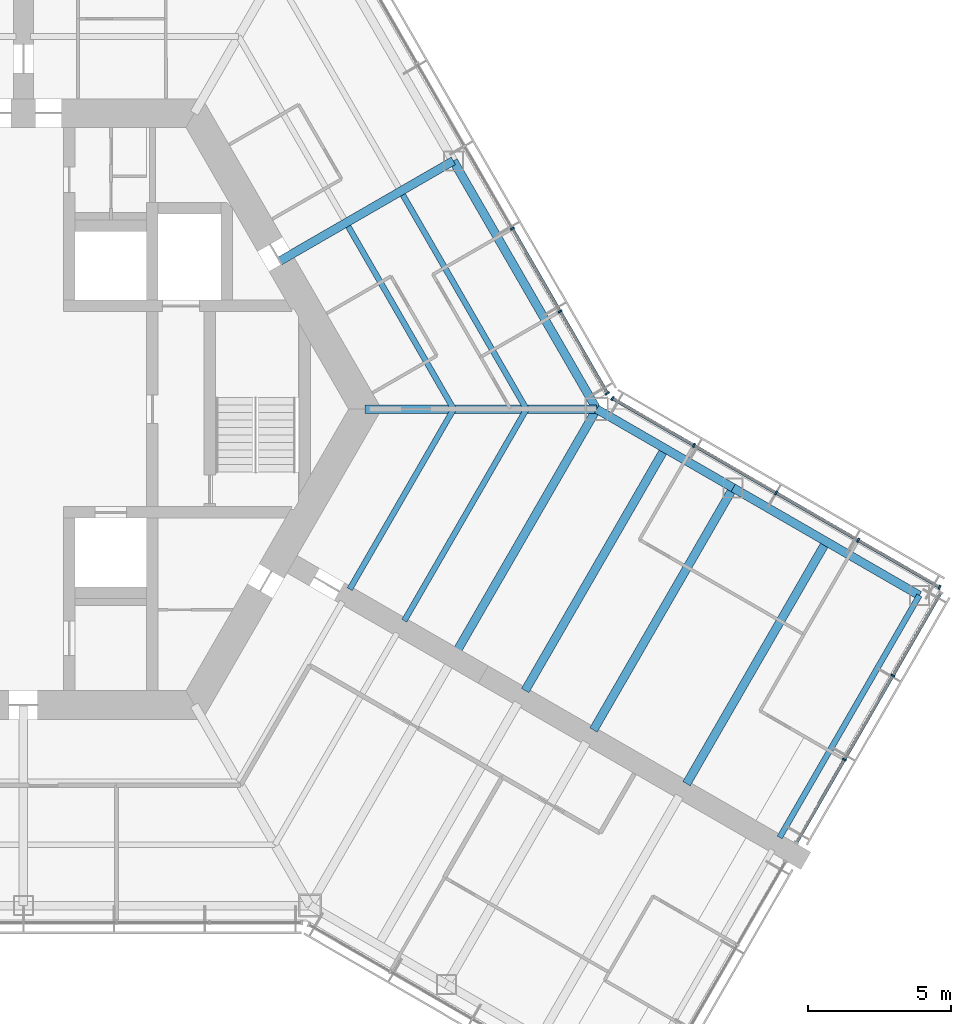
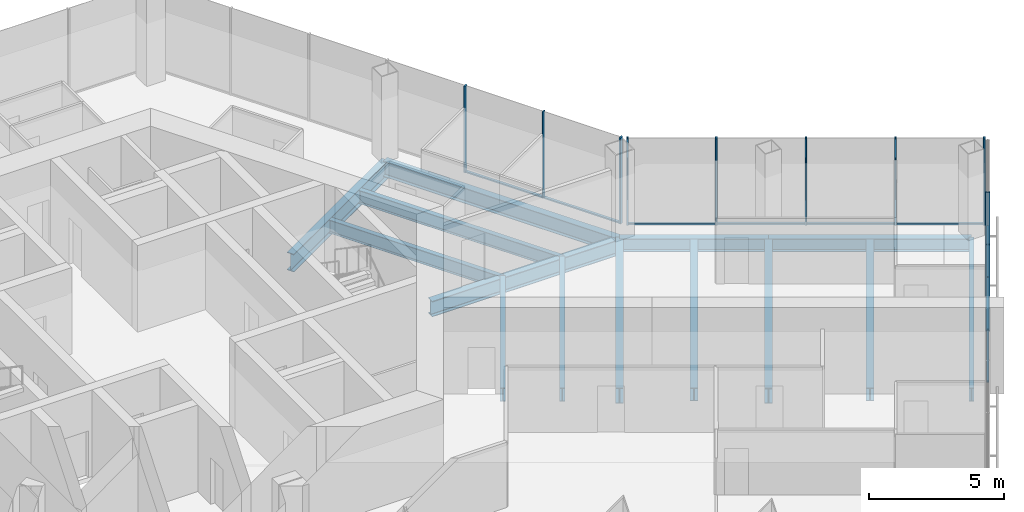
# One storey, part 6 of 18: 19 members, 14 beams, 3 elements without a shape of their own.
"""IFC4 building model written with IfcOpenShell, lengths in metres."""

from ifc_helpers import new_model, si_unit, direction, frame, origin, origin_2d, place, context, subcontext, project, spatial, rectangle, i_section, extrude, material, material_profile, profile_set, type_object, element, aggregate, save


model = new_model("IFC4")

# Units and contexts
model_context = context("Model", 3, precision=1e-05, world=origin(), true_north=direction((0.0, 1.0)))
body_context = subcontext(model_context, "Body", "Model", "MODEL_VIEW")
ifc_project = project(units=[si_unit("LENGTHUNIT", "METRE"), si_unit("AREAUNIT", "SQUARE_METRE"), si_unit("VOLUMEUNIT", "CUBIC_METRE"), si_unit("PLANEANGLEUNIT", "RADIAN"), si_unit("MASSUNIT", "GRAM", prefix="KILO")], contexts=[model_context])

# Site, building, storey
site_placement = place(None, origin())
site = spatial("IfcSite", under=ifc_project, at=site_placement, CompositionType="ELEMENT")
building_placement = place(site_placement, origin())
building = spatial("IfcBuilding", under=site, at=building_placement, Name="Kasaneha Research Tower", CompositionType="ELEMENT")
storey_placement = place(building_placement, frame((0.0, 0.0, 168.199951171875)))
storey = spatial("IfcBuildingStorey", under=building, at=storey_placement, Name="L42", CompositionType="ELEMENT", Elevation=168.199951171875)

# Beams
ifc_material_1 = material(Name="Steel SN490B", Category="steel")
ifc_material_profile_1 = material_profile(ifc_material_1, i_section(OverallWidth=0.199951171875, OverallDepth=0.60009765625, WebThickness=0.010986328125, FlangeThickness=0.01708984375, FilletRadius=0.012939453125, at=origin_2d()), Name="H-600x200x11x17")
ifc_profile_set_1 = profile_set([ifc_material_profile_1], Name="Steel SN490B")
beam_type_1 = type_object("IfcBeamType", Name="B1-3 secondary beam H-600x200x11x17", PredefinedType="JOIST", material=ifc_profile_set_1)
beam_1_placement = place(storey_placement, frame((15.010986328125, 0.0, -0.449951171875), z_axis=(-0.499994443168, 0.866028611999, 0.0), x_axis=(-0.866028611999, -0.499994443168, 0.0)))
element("IfcBeam", 1, at=beam_1_placement, inside=storey, type_object=beam_type_1, Name="Secondary beam RS030L1 L42", PredefinedType="JOIST", context=body_context, shape_type="SweptSolid", body=[
    extrude(i_section(OverallWidth=0.199951171875, OverallDepth=0.60009765625, WebThickness=0.010986328125, FlangeThickness=0.01708984375, FilletRadius=0.012939453125, at=origin_2d()), origin(), (0.0, 0.0, 1.0), 7.35546875),
])
beam_2_placement = place(storey_placement, frame((17.551513671875, 0.0, -0.449951171875), z_axis=(-0.5000050195, 0.866022505755, 0.0), x_axis=(-0.866022505755, -0.5000050195, 0.0)))
element("IfcBeam", 2, at=beam_2_placement, inside=storey, type_object=beam_type_1, Name="Secondary beam RS030L2 L42", PredefinedType="JOIST", context=body_context, shape_type="SweptSolid", body=[
    extrude(i_section(OverallWidth=0.199951171875, OverallDepth=0.60009765625, WebThickness=0.010986328125, FlangeThickness=0.01708984375, FilletRadius=0.012939453125, at=origin_2d()), origin(), (0.0, 0.0, 1.0), 8.6259765625),
])
beam_3_placement = place(storey_placement, frame((15.010986328125, 0.0, -0.449951171875), z_axis=(-0.499993340521, -0.866029248602, 0.0), x_axis=(0.866029248602, -0.499993340521, 0.0)))
element("IfcBeam", 3, at=beam_3_placement, inside=storey, type_object=beam_type_1, Name="Secondary beam RS330R1 L42", PredefinedType="JOIST", context=body_context, shape_type="SweptSolid", body=[
    extrude(i_section(OverallWidth=0.199951171875, OverallDepth=0.60009765625, WebThickness=0.010986328125, FlangeThickness=0.01708984375, FilletRadius=0.012939453125, at=origin_2d()), origin(), (0.0, 0.0, 1.0), 7.25537109375),
])
beam_4_placement = place(storey_placement, frame((17.551513671875, 0.0, -0.449951171875), z_axis=(-0.500004205306, -0.866022975836, 0.0), x_axis=(0.866022975836, -0.500004205306, 0.0)))
element("IfcBeam", 4, at=beam_4_placement, inside=storey, type_object=beam_type_1, Name="Secondary beam RS330R2 L42", PredefinedType="JOIST", context=body_context, shape_type="SweptSolid", body=[
    extrude(i_section(OverallWidth=0.199951171875, OverallDepth=0.60009765625, WebThickness=0.010986328125, FlangeThickness=0.01708984375, FilletRadius=0.012939453125, at=origin_2d()), origin(), (0.0, 0.0, 1.0), 8.52587890625),
])
ifc_material_2 = material(Name="Steel SN490B", Category="steel")
ifc_material_profile_2 = material_profile(ifc_material_2, i_section(OverallWidth=0.300048828125, OverallDepth=0.58203125, WebThickness=0.011962890625, FlangeThickness=0.01708984375, FilletRadius=0.012939453125, at=origin_2d()), Name="H-582x300x12x17")
ifc_profile_set_2 = profile_set([ifc_material_profile_2], Name="Steel SN490B")
beam_type_2 = type_object("IfcBeamType", Name="B2-3 secondary beam H-582x300x12x17", PredefinedType="JOIST", material=ifc_profile_set_2)
for number, where, z_axis, x_axis, name in (
    (5, (22.381591796875, -1.375, -0.44091796875), (-0.499995560238, -0.866027967067, 0.0), (0.866027967067, -0.499995560238, 0.0), "Secondary beam WBCN1 L42"),
    (6, (28.0107421875, -4.625, -0.44091796875), (-0.499995560238, -0.866027967067, 0.0), (0.866027967067, -0.499995560238, 0.0), "Secondary beam WBCN2 L42"),
):
    element("IfcBeam", number, at=place(storey_placement, frame(where, z_axis=z_axis, x_axis=x_axis)), inside=storey, type_object=beam_type_2, Name=name, PredefinedType="JOIST", context=body_context, shape_type="SweptSolid", body=[
        extrude(i_section(OverallWidth=0.300048828125, OverallDepth=0.58203125, WebThickness=0.011962890625, FlangeThickness=0.01708984375, FilletRadius=0.012939453125, at=origin_2d()), origin(), (0.0, 0.0, 1.0), 9.75),
    ])

# Curtain wall, members
ifc_material_3 = material(Name="Glass and aluminium", Category="aluminium")
curtain_wall_type = type_object("IfcCurtainWallType", Name="Mid-rise office curtain wall", PredefinedType="USERDEFINED", material=ifc_material_3)
curtain_wall_1_placement = place(storey_placement, origin())
curtain_wall_1 = element("IfcCurtainWall", 7, at=curtain_wall_1_placement, inside=storey, type_object=curtain_wall_type, Name="CW-O2 L42 run 04a", ObjectType="UNITISED CURTAIN WALL", PredefinedType="USERDEFINED")
ifc_material_4 = material(Name="Aluminium 6063-T6", Category="aluminium")
ifc_material_profile_3 = material_profile(ifc_material_4, rectangle(XDim=0.06005859375, YDim=0.14990234375, at=origin_2d()), Name="CW-O2 mullion 60x150")
ifc_profile_set_3 = profile_set([ifc_material_profile_3], Name="Aluminium 6063-T6")
member_type_1 = type_object("IfcMemberType", Name="CW-O2 mullion", PredefinedType="MULLION", material=ifc_profile_set_3)
member_1_placement = place(storey_placement, frame((28.64453125, -12.22705078125, 0.0), z_axis=(0.0, 0.0, 1.0), x_axis=(0.500000011442, 0.866025397178, 0.0)))
member_1 = element("IfcMember", 8, at=member_1_placement, type_object=member_type_1, Name="CW-O2 mullion 2", PredefinedType="MULLION", context=body_context, shape_type="SweptSolid", body=[
    extrude(rectangle(XDim=0.06005859375, YDim=0.14990234375, at=origin_2d()), origin(), (0.0, 0.0, 1.0), 3.900146484375),
])
member_2_placement = place(storey_placement, frame((30.336181640625, -9.297119140625, 0.0), z_axis=(0.0, 0.0, 1.0), x_axis=(0.500000011442, 0.866025397178, 0.0)))
member_2 = element("IfcMember", 9, at=member_2_placement, type_object=member_type_1, Name="CW-O2 mullion 3", PredefinedType="MULLION", context=body_context, shape_type="SweptSolid", body=[
    extrude(rectangle(XDim=0.06005859375, YDim=0.14990234375, at=origin_2d()), origin(), (0.0, 0.0, 1.0), 3.900146484375),
])

curtain_wall_2_placement = place(storey_placement, origin())
curtain_wall_2 = element("IfcCurtainWall", 10, at=curtain_wall_2_placement, inside=storey, type_object=curtain_wall_type, Name="CW-O2 L42 run 05a", ObjectType="UNITISED CURTAIN WALL", PredefinedType="USERDEFINED")
member_3_placement = place(storey_placement, frame((31.96533203125, -6.21533203125, 0.0), z_axis=(0.0, 0.0, 1.0), x_axis=(-0.866025411464, 0.499999986699, 0.0)))
member_3 = element("IfcMember", 11, at=member_3_placement, type_object=member_type_1, Name="CW-O2 mullion 1", PredefinedType="MULLION", context=body_context, shape_type="SweptSolid", body=[
    extrude(rectangle(XDim=0.06005859375, YDim=0.14990234375, at=origin_2d()), origin(), (0.0, 0.0, 1.0), 3.900146484375),
])
member_4_placement = place(storey_placement, frame((29.125, -4.575439453125, 0.0), z_axis=(0.0, 0.0, 1.0), x_axis=(-0.866025411464, 0.499999986699, 0.0)))
member_4 = element("IfcMember", 12, at=member_4_placement, type_object=member_type_1, Name="CW-O2 mullion 2", PredefinedType="MULLION", context=body_context, shape_type="SweptSolid", body=[
    extrude(rectangle(XDim=0.06005859375, YDim=0.14990234375, at=origin_2d()), origin(), (0.0, 0.0, 1.0), 3.900146484375),
])
member_5_placement = place(storey_placement, frame((26.258544921875, -2.920654296875, 0.0), z_axis=(0.0, 0.0, 1.0), x_axis=(-0.866025411464, 0.499999986699, 0.0)))
member_5 = element("IfcMember", 13, at=member_5_placement, type_object=member_type_1, Name="CW-O2 mullion 3", PredefinedType="MULLION", context=body_context, shape_type="SweptSolid", body=[
    extrude(rectangle(XDim=0.06005859375, YDim=0.14990234375, at=origin_2d()), origin(), (0.0, 0.0, 1.0), 3.900146484375),
])
member_6_placement = place(storey_placement, frame((23.39208984375, -1.265625, 0.0), z_axis=(0.0, 0.0, 1.0), x_axis=(-0.866025411464, 0.499999986699, 0.0)))
member_6 = element("IfcMember", 14, at=member_6_placement, type_object=member_type_1, Name="CW-O2 mullion 4", PredefinedType="MULLION", context=body_context, shape_type="SweptSolid", body=[
    extrude(rectangle(XDim=0.06005859375, YDim=0.14990234375, at=origin_2d()), origin(), (0.0, 0.0, 1.0), 3.900146484375),
])
member_7_placement = place(storey_placement, frame((20.5517578125, 0.374267578125, 0.0), z_axis=(0.0, 0.0, 1.0), x_axis=(-0.866025411464, 0.499999986699, 0.0)))
member_7 = element("IfcMember", 15, at=member_7_placement, type_object=member_type_1, Name="CW-O2 mullion 5", PredefinedType="MULLION", context=body_context, shape_type="SweptSolid", body=[
    extrude(rectangle(XDim=0.06005859375, YDim=0.14990234375, at=origin_2d()), origin(), (0.0, 0.0, 1.0), 3.900146484375),
])

curtain_wall_3_placement = place(storey_placement, origin())
curtain_wall_3 = element("IfcCurtainWall", 16, at=curtain_wall_3_placement, inside=storey, type_object=curtain_wall_type, Name="CW-O2 L42 run 06a", ObjectType="UNITISED CURTAIN WALL", PredefinedType="USERDEFINED")
member_8_placement = place(storey_placement, frame((20.374267578125, 0.5517578125, 0.0), z_axis=(0.0, 0.0, 1.0), x_axis=(-0.499999979232, 0.866025415775, 0.0)))
member_8 = element("IfcMember", 17, at=member_8_placement, type_object=member_type_1, Name="CW-O2 mullion 1", PredefinedType="MULLION", context=body_context, shape_type="SweptSolid", body=[
    extrude(rectangle(XDim=0.06005859375, YDim=0.14990234375, at=origin_2d()), origin(), (0.0, 0.0, 1.0), 3.900146484375),
])
member_9_placement = place(storey_placement, frame((18.723876953125, 3.410400390625, 0.0), z_axis=(0.0, 0.0, 1.0), x_axis=(-0.499999979232, 0.866025415775, 0.0)))
member_9 = element("IfcMember", 18, at=member_9_placement, type_object=member_type_1, Name="CW-O2 mullion 2", PredefinedType="MULLION", context=body_context, shape_type="SweptSolid", body=[
    extrude(rectangle(XDim=0.06005859375, YDim=0.14990234375, at=origin_2d()), origin(), (0.0, 0.0, 1.0), 3.900146484375),
])
member_10_placement = place(storey_placement, frame((17.058349609375, 6.295166015625, 0.0), z_axis=(0.0, 0.0, 1.0), x_axis=(-0.499999979232, 0.866025415775, 0.0)))
member_10 = element("IfcMember", 19, at=member_10_placement, type_object=member_type_1, Name="CW-O2 mullion 3", PredefinedType="MULLION", context=body_context, shape_type="SweptSolid", body=[
    extrude(rectangle(XDim=0.06005859375, YDim=0.14990234375, at=origin_2d()), origin(), (0.0, 0.0, 1.0), 3.900146484375),
])

# Member
ifc_material_5 = material(Name="Aluminium 6063-T6", Category="aluminium")
ifc_material_profile_4 = material_profile(ifc_material_5, rectangle(XDim=0.110107421875, YDim=0.06005859375, at=origin_2d()), Name="CW-O2 transom 110x60")
ifc_profile_set_4 = profile_set([ifc_material_profile_4], Name="Aluminium 6063-T6")
member_type_2 = type_object("IfcMemberType", Name="CW-O2 transom", PredefinedType="USERDEFINED", material=ifc_profile_set_4)
member_11_placement = place(storey_placement, frame((26.98291015625, -15.105224609375, 0.030029296875), z_axis=(0.500021914551, 0.866012751043, 0.0), x_axis=(-0.866012751043, 0.500021914551, 0.0)))
member_11 = element("IfcMember", 20, at=member_11_placement, type_object=member_type_2, Name="CW-O2 transom 1", ObjectType="TRANSOM", PredefinedType="USERDEFINED", context=body_context, shape_type="SweptSolid", body=[
    extrude(rectangle(XDim=0.110107421875, YDim=0.06005859375, at=origin_2d()), origin(), (0.0, 0.0, 1.0), 3.293212890625),
])

member_12_placement = place(storey_placement, frame((28.65966796875, -12.201171875, 0.030029296875), z_axis=(0.499978935311, 0.866037565146, 0.0), x_axis=(-0.866037565146, 0.499978935311, 0.0)))
member_12 = element("IfcMember", 21, at=member_12_placement, type_object=member_type_2, Name="CW-O2 transom 2", ObjectType="TRANSOM", PredefinedType="USERDEFINED", context=body_context, shape_type="SweptSolid", body=[
    extrude(rectangle(XDim=0.110107421875, YDim=0.06005859375, at=origin_2d()), origin(), (0.0, 0.0, 1.0), 3.323486328125),
])

member_13_placement = place(storey_placement, frame((30.351318359375, -9.27099609375, 0.030029296875), z_axis=(0.500021914551, 0.866012751043, 0.0), x_axis=(-0.866012751043, 0.500021914551, 0.0)))
member_13 = element("IfcMember", 22, at=member_13_placement, type_object=member_type_2, Name="CW-O2 transom 3", ObjectType="TRANSOM", PredefinedType="USERDEFINED", context=body_context, shape_type="SweptSolid", body=[
    extrude(rectangle(XDim=0.110107421875, YDim=0.06005859375, at=origin_2d()), origin(), (0.0, 0.0, 1.0), 3.293212890625),
])

aggregate(curtain_wall_1, [member_1, member_2, member_11, member_12, member_13])

member_14_placement = place(storey_placement, frame((31.939453125, -6.200439453125, 0.030029296875), z_axis=(-0.866041647767, 0.499971863542, 0.0), x_axis=(-0.499971863542, -0.866041647767, 0.0)))
member_14 = element("IfcMember", 23, at=member_14_placement, type_object=member_type_2, Name="CW-O2 transom 1", ObjectType="TRANSOM", PredefinedType="USERDEFINED", context=body_context, shape_type="SweptSolid", body=[
    extrude(rectangle(XDim=0.110107421875, YDim=0.06005859375, at=origin_2d()), origin(), (0.0, 0.0, 1.0), 3.219970703125),
])

member_15_placement = place(storey_placement, frame((29.098876953125, -4.560546875, 0.030029296875), z_axis=(-0.86599666273, 0.500049777664, 0.0), x_axis=(-0.500049777664, -0.86599666273, 0.0)))
member_15 = element("IfcMember", 24, at=member_15_placement, type_object=member_type_2, Name="CW-O2 transom 2", ObjectType="TRANSOM", PredefinedType="USERDEFINED", context=body_context, shape_type="SweptSolid", body=[
    extrude(rectangle(XDim=0.110107421875, YDim=0.06005859375, at=origin_2d()), origin(), (0.0, 0.0, 1.0), 3.249755859375),
])

member_16_placement = place(storey_placement, frame((26.232666015625, -2.905517578125, 0.030029296875), z_axis=(-0.86604797581, 0.499960902066, 0.0), x_axis=(-0.499960902066, -0.86604797581, 0.0)))
member_16 = element("IfcMember", 25, at=member_16_placement, type_object=member_type_2, Name="CW-O2 transom 3", ObjectType="TRANSOM", PredefinedType="USERDEFINED", context=body_context, shape_type="SweptSolid", body=[
    extrude(rectangle(XDim=0.110107421875, YDim=0.06005859375, at=origin_2d()), origin(), (0.0, 0.0, 1.0), 3.249755859375),
])

member_17_placement = place(storey_placement, frame((23.3662109375, -1.250732421875, 0.030029296875), z_axis=(-0.866022692473, 0.500004696101, 0.0), x_axis=(-0.500004696101, -0.866022692473, 0.0)))
member_17 = element("IfcMember", 26, at=member_17_placement, type_object=member_type_2, Name="CW-O2 transom 4", ObjectType="TRANSOM", PredefinedType="USERDEFINED", context=body_context, shape_type="SweptSolid", body=[
    extrude(rectangle(XDim=0.110107421875, YDim=0.06005859375, at=origin_2d()), origin(), (0.0, 0.0, 1.0), 3.2197265625),
])

aggregate(curtain_wall_2, [member_3, member_4, member_5, member_6, member_7, member_14, member_15, member_16, member_17])

member_18_placement = place(storey_placement, frame((20.359130859375, 0.577880859375, 0.030029296875), z_axis=(-0.499987643696, 0.866032537582, 0.0), x_axis=(-0.866032537582, -0.499987643696, 0.0)))
member_18 = element("IfcMember", 27, at=member_18_placement, type_object=member_type_2, Name="CW-O2 transom 1", ObjectType="TRANSOM", PredefinedType="USERDEFINED", context=body_context, shape_type="SweptSolid", body=[
    extrude(rectangle(XDim=0.110107421875, YDim=0.06005859375, at=origin_2d()), origin(), (0.0, 0.0, 1.0), 3.24072265625),
])

member_19_placement = place(storey_placement, frame((18.708740234375, 3.4365234375, 0.030029296875), z_axis=(-0.500000270186, 0.866025247793, 0.0), x_axis=(-0.866025247793, -0.500000270186, 0.0)))
member_19 = element("IfcMember", 28, at=member_19_placement, type_object=member_type_2, Name="CW-O2 transom 2", ObjectType="TRANSOM", PredefinedType="USERDEFINED", context=body_context, shape_type="SweptSolid", body=[
    extrude(rectangle(XDim=0.110107421875, YDim=0.06005859375, at=origin_2d()), origin(), (0.0, 0.0, 1.0), 3.27099609375),
])

aggregate(curtain_wall_3, [member_8, member_9, member_10, member_18, member_19])

# Beams
ifc_material_6 = material(Name="Steel SN490B", Category="steel")
ifc_material_profile_5 = material_profile(ifc_material_6, i_section(OverallWidth=0.300048828125, OverallDepth=0.699951171875, WebThickness=0.012939453125, FlangeThickness=0.02392578125, FilletRadius=0.01806640625, at=origin_2d()), Name="H-700x300x13x24")
ifc_profile_set_5 = profile_set([ifc_material_profile_5], Name="Steel SN490B")
beam_type_3 = type_object("IfcBeamType", Name="G1-3 radial girder H-700x300x13x24", PredefinedType="BEAM", material=ifc_profile_set_5)
beam_5_placement = place(storey_placement, frame((11.92236328125, 0.0, -0.5), z_axis=(1.0, 0.0, 0.0), x_axis=(0.0, 1.0, 0.0)))
element("IfcBeam", 29, at=beam_5_placement, inside=storey, type_object=beam_type_3, Name="Radial girder RV000 L42", PredefinedType="BEAM", context=body_context, shape_type="SweptSolid", body=[
    extrude(i_section(OverallWidth=0.300048828125, OverallDepth=0.699951171875, WebThickness=0.012939453125, FlangeThickness=0.02392578125, FilletRadius=0.01806640625, at=origin_2d()), origin(), (0.0, 0.0, 1.0), 8.07763671875),
])
ifc_material_7 = material(Name="Steel SN490B", Category="steel")
ifc_material_profile_6 = material_profile(ifc_material_7, i_section(OverallWidth=0.300048828125, OverallDepth=0.800048828125, WebThickness=0.013916015625, FlangeThickness=0.02587890625, FilletRadius=0.01806640625, at=origin_2d()), Name="H-800x300x14x26")
ifc_profile_set_6 = profile_set([ifc_material_profile_6], Name="Steel SN490B")
beam_type_4 = type_object("IfcBeamType", Name="G2-3 radial girder H-800x300x14x26", PredefinedType="BEAM", material=ifc_profile_set_6)
beam_6_placement = place(storey_placement, frame((8.941650390625, 5.16259765625, -0.550048828125), z_axis=(0.866039713508, 0.499975214012, 0.0), x_axis=(-0.499975214012, 0.866039713508, 0.0)))
element("IfcBeam", 30, at=beam_6_placement, inside=storey, type_object=beam_type_4, Name="Radial girder RM030 L42", PredefinedType="BEAM", context=body_context, shape_type="SweptSolid", body=[
    extrude(i_section(OverallWidth=0.300048828125, OverallDepth=0.800048828125, WebThickness=0.013916015625, FlangeThickness=0.02587890625, FilletRadius=0.01806640625, at=origin_2d()), origin(), (0.0, 0.0, 1.0), 6.995361328125),
])
ifc_material_8 = material(Name="Steel SN490B", Category="steel")
ifc_material_profile_7 = material_profile(ifc_material_8, i_section(OverallWidth=0.300048828125, OverallDepth=0.69189453125, WebThickness=0.012939453125, FlangeThickness=0.02001953125, FilletRadius=0.01806640625, at=origin_2d()), Name="H-692x300x13x20")
ifc_profile_set_7 = profile_set([ifc_material_profile_7], Name="Steel SN490B")
beam_type_5 = type_object("IfcBeamType", Name="G3-3 plate edge girder H-692x300x13x20", PredefinedType="BEAM", material=ifc_profile_set_7)
beam_7_placement = place(storey_placement, frame((20.0, 0.0, -0.495849609375), z_axis=(-0.499995560238, -0.866027967067, 0.0), x_axis=(0.866027967067, -0.499995560238, 0.0)))
element("IfcBeam", 31, at=beam_7_placement, inside=storey, type_object=beam_type_5, Name="Plate edge girder PECN L42", PredefinedType="BEAM", context=body_context, shape_type="SweptSolid", body=[
    extrude(i_section(OverallWidth=0.300048828125, OverallDepth=0.69189453125, WebThickness=0.012939453125, FlangeThickness=0.02001953125, FilletRadius=0.01806640625, at=origin_2d()), origin(), (0.0, 0.0, 1.0), 9.75),
])
ifc_material_9 = material(Name="Steel SN490B", Category="steel")
ifc_material_profile_8 = material_profile(ifc_material_9, i_section(OverallWidth=0.300048828125, OverallDepth=0.699951171875, WebThickness=0.012939453125, FlangeThickness=0.02392578125, FilletRadius=0.01806640625, at=origin_2d()), Name="H-700x300x13x24")
ifc_profile_set_8 = profile_set([ifc_material_profile_8], Name="Steel SN490B")
beam_type_6 = type_object("IfcBeamType", Name="G4-3 wing girder H-700x300x13x24", PredefinedType="BEAM", material=ifc_profile_set_8)
beam_8_placement = place(storey_placement, frame((24.76318359375, -2.75, -0.5), z_axis=(-0.499995560238, -0.866027967067, 0.0), x_axis=(0.866027967067, -0.499995560238, 0.0)))
element("IfcBeam", 32, at=beam_8_placement, inside=storey, type_object=beam_type_6, Name="Wing girder WGCN L42", PredefinedType="BEAM", context=body_context, shape_type="SweptSolid", body=[
    extrude(i_section(OverallWidth=0.300048828125, OverallDepth=0.699951171875, WebThickness=0.012939453125, FlangeThickness=0.02392578125, FilletRadius=0.01806640625, at=origin_2d()), origin(), (0.0, 0.0, 1.0), 9.75),
])
ifc_material_10 = material(Name="Steel SN490B", Category="steel")
ifc_material_profile_9 = material_profile(ifc_material_10, i_section(OverallWidth=0.300048828125, OverallDepth=0.69189453125, WebThickness=0.012939453125, FlangeThickness=0.02001953125, FilletRadius=0.01806640625, at=origin_2d()), Name="H-692x300x13x20")
ifc_profile_set_9 = profile_set([ifc_material_profile_9], Name="Steel SN490B")
beam_type_7 = type_object("IfcBeamType", Name="SB1-3 spandrel beam H-692x300x13x20", PredefinedType="SPANDREL", material=ifc_profile_set_9)
beam_9_placement = place(storey_placement, frame((20.0, 0.0, -0.495849609375), z_axis=(-0.500004234368, 0.866022959057, 0.0), x_axis=(-0.866022959057, -0.500004234368, 0.0)))
element("IfcBeam", 33, at=beam_9_placement, inside=storey, type_object=beam_type_7, Name="Spandrel beam SR030L L42", PredefinedType="SPANDREL", context=body_context, shape_type="SweptSolid", body=[
    extrude(i_section(OverallWidth=0.300048828125, OverallDepth=0.69189453125, WebThickness=0.012939453125, FlangeThickness=0.02001953125, FilletRadius=0.01806640625, at=origin_2d()), origin(), (0.0, 0.0, 1.0), 10.0),
])
ifc_material_11 = material(Name="Steel SN490B", Category="steel")
ifc_material_profile_10 = material_profile(ifc_material_11, i_section(OverallWidth=0.300048828125, OverallDepth=0.58203125, WebThickness=0.011962890625, FlangeThickness=0.01708984375, FilletRadius=0.012939453125, at=origin_2d()), Name="H-582x300x12x17")
ifc_profile_set_10 = profile_set([ifc_material_profile_10], Name="Steel SN490B")
beam_type_8 = type_object("IfcBeamType", Name="SB2-3 spandrel beam H-582x300x12x17", PredefinedType="SPANDREL", material=ifc_profile_set_10)
beam_10_placement = place(storey_placement, frame((20.0, 0.0, -0.44091796875), z_axis=(0.866027397988, -0.499996545922, 0.0), x_axis=(0.499996545922, 0.866027397988, 0.0)))
element("IfcBeam", 34, at=beam_10_placement, inside=storey, type_object=beam_type_8, Name="Spandrel beam WSCN1 L42", PredefinedType="SPANDREL", context=body_context, shape_type="SweptSolid", body=[
    extrude(i_section(OverallWidth=0.300048828125, OverallDepth=0.58203125, WebThickness=0.011962890625, FlangeThickness=0.01708984375, FilletRadius=0.012939453125, at=origin_2d()), origin(), (0.0, 0.0, 1.0), 5.5),
])
beam_11_placement = place(storey_placement, frame((24.76318359375, -2.75, -0.44091796875), z_axis=(0.866022959057, -0.500004234368, 0.0), x_axis=(0.500004234368, 0.866022959057, 0.0)))
element("IfcBeam", 35, at=beam_11_placement, inside=storey, type_object=beam_type_8, Name="Spandrel beam WSCN2 L42", PredefinedType="SPANDREL", context=body_context, shape_type="SweptSolid", body=[
    extrude(i_section(OverallWidth=0.300048828125, OverallDepth=0.58203125, WebThickness=0.011962890625, FlangeThickness=0.01708984375, FilletRadius=0.012939453125, at=origin_2d()), origin(), (0.0, 0.0, 1.0), 7.5),
])
ifc_material_12 = material(Name="Steel SN490B", Category="steel")
ifc_material_profile_11 = material_profile(ifc_material_12, i_section(OverallWidth=0.199951171875, OverallDepth=0.60009765625, WebThickness=0.010986328125, FlangeThickness=0.01708984375, FilletRadius=0.012939453125, at=origin_2d()), Name="H-600x200x11x17")
ifc_profile_set_11 = profile_set([ifc_material_profile_11], Name="Steel SN490B")
beam_type_9 = type_object("IfcBeamType", Name="SB3-3 spandrel beam H-600x200x11x17", PredefinedType="SPANDREL", material=ifc_profile_set_11)
beam_12_placement = place(storey_placement, frame((31.25830078125, -6.5, -0.449951171875), z_axis=(-0.499995560238, -0.866027967067, 0.0), x_axis=(0.866027967067, -0.499995560238, 0.0)))
element("IfcBeam", 36, at=beam_12_placement, inside=storey, type_object=beam_type_9, Name="Spandrel beam WTCN L42", PredefinedType="SPANDREL", context=body_context, shape_type="SweptSolid", body=[
    extrude(i_section(OverallWidth=0.199951171875, OverallDepth=0.60009765625, WebThickness=0.010986328125, FlangeThickness=0.01708984375, FilletRadius=0.012939453125, at=origin_2d()), origin(), (0.0, 0.0, 1.0), 9.75),
])

save(model, "model.ifc")
